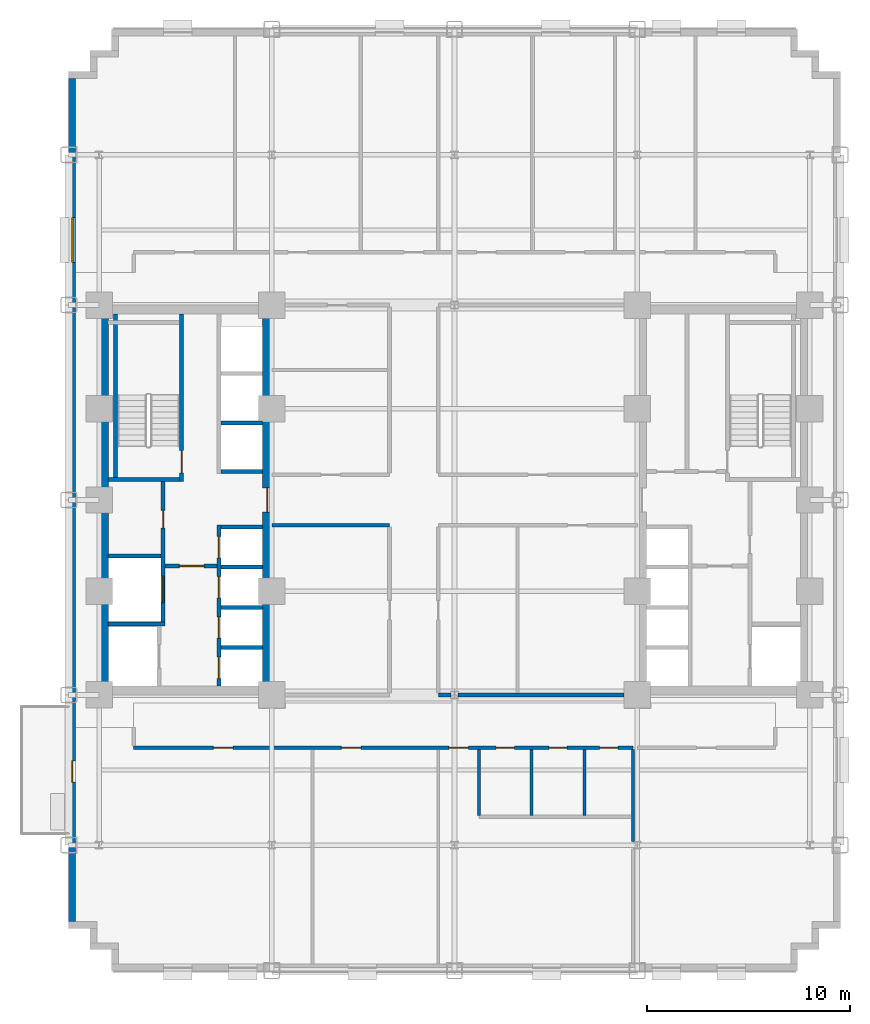
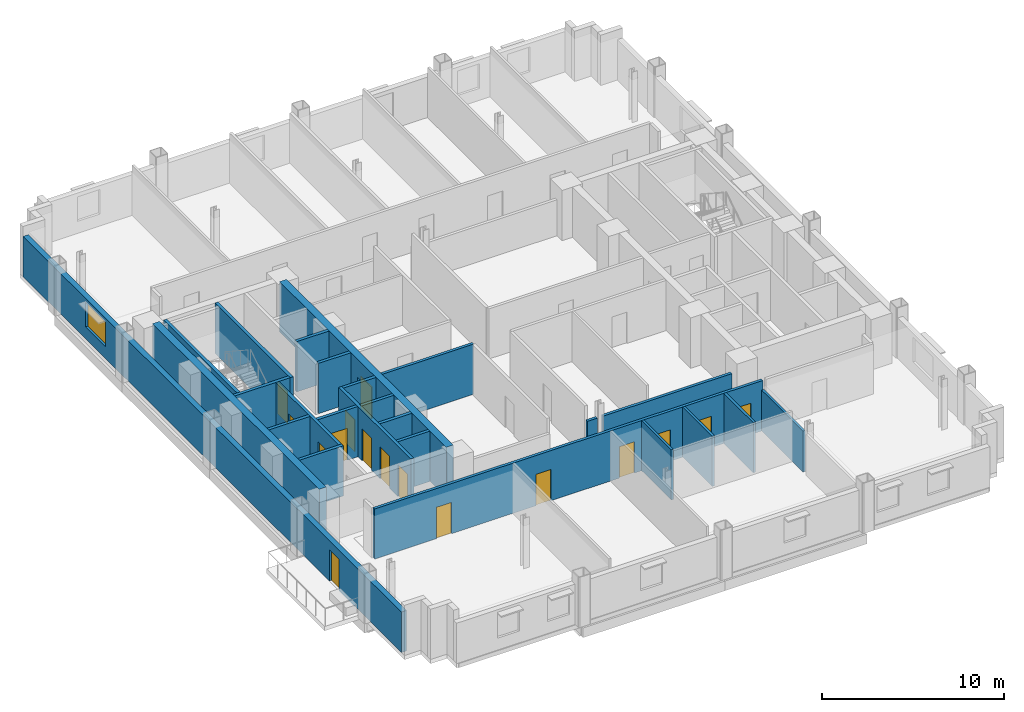
# One storey, part 5 of 12: 25 walls, 16 doors, 1 window, 17 openings.
"""IFC4 building model written with IfcOpenShell, lengths in metres."""

from ifc_helpers import new_model, si_unit, direction, frame, frame_2d, origin, place, context, subcontext, project, spatial, rectangle, extrude, source, transform, mapped, material, layer, layer_set, type_object, type_shapes, element, fill, save


model = new_model("IFC4")

# Units and contexts
model_context = context("Model", 3, precision=1e-05, world=origin(), true_north=direction((0.0, 1.0)))
body_context = subcontext(model_context, "Body", "Model", "MODEL_VIEW")
ifc_project = project(units=[si_unit("LENGTHUNIT", "METRE"), si_unit("AREAUNIT", "SQUARE_METRE"), si_unit("VOLUMEUNIT", "CUBIC_METRE"), si_unit("PLANEANGLEUNIT", "RADIAN"), si_unit("MASSUNIT", "GRAM", prefix="KILO")], contexts=[model_context])

# Site, building, storey
site_placement = place(None, origin())
site = spatial("IfcSite", under=ifc_project, at=site_placement, CompositionType="ELEMENT")
building_placement = place(site_placement, origin())
building = spatial("IfcBuilding", under=site, at=building_placement, Name="Nuvemarco Arch Tower", CompositionType="ELEMENT")
storey_placement = place(building_placement, frame((0.0, 0.0, 31.25)))
storey = spatial("IfcBuildingStorey", under=building, at=storey_placement, Name="L07", CompositionType="ELEMENT", Elevation=31.25)

# Wall, openings, door, window
ifc_material_1 = material(Name="Precast concrete C45/55", Category="concrete")
ifc_layer_1 = layer(ifc_material_1, 0.340087890625, Name="EW-LOW-340")
ifc_layer_set_1 = layer_set([ifc_layer_1], Name="Precast concrete C45/55")
wall_type_1 = type_object("IfcWallType", Name="EW-LOW-340", PredefinedType="STANDARD", material=ifc_layer_set_1)
wall_1_placement = place(storey_placement, frame((-18.830078125, -20.763916015625, 0.0), z_axis=(0.0, 0.0, 1.0), x_axis=(0.0, 1.0, 0.0)))
wall_1 = element("IfcWall", 1, at=wall_1_placement, inside=storey, type_object=wall_type_1, Name="L07 exterior precast facade wall 16", PredefinedType="STANDARD", context=body_context, shape_type="SweptSolid", body=[
    extrude(rectangle(XDim=41.52783203125, YDim=0.340087890625, at=frame_2d((20.763916015625, 0.0))), origin(), (0.0, 0.0, 1.0), 2.705078125),
])
opening_1_placement = place(wall_1_placement, frame((6.864013671875, 0.0, 0.0)))
opening_1 = element("IfcOpeningElement", 2, at=opening_1_placement, cuts=wall_1, Name="Opening ED-5", PredefinedType="OPENING", context=body_context, shape_type="SweptSolid", body=[
    extrude(rectangle(XDim=1.050048828125, YDim=2.10009765625, at=frame_2d((0.52490234375, 1.050048828125))), frame((0.0, 0.179931640625, 0.0), z_axis=(0.0, -1.0, 0.0), x_axis=(1.0, 0.0, 0.0)), (0.0, 0.0, 1.0), 0.360107421875),
])
opening_2_placement = place(wall_1_placement, frame((32.466552734375, 0.0, 0.800048828125)))
opening_2 = element("IfcOpeningElement", 3, at=opening_2_placement, cuts=wall_1, Name="Opening WN-3", PredefinedType="OPENING", context=body_context, shape_type="SweptSolid", body=[
    extrude(rectangle(XDim=2.199951171875, YDim=1.64990234375, at=frame_2d((1.10009765625, 0.824951171875))), frame((0.0, 0.179931640625, 0.0), z_axis=(0.0, -1.0, 0.0), x_axis=(1.0, 0.0, 0.0)), (0.0, 0.0, 1.0), 0.360107421875),
])
ifc_material_2 = material(Name="Anodised bronze and laminated glass", Category="glass")
door_type_1 = type_object("IfcDoorType", Name="DR-EXT-TERR", OperationType="NOTDEFINED", PredefinedType="DOOR", material=ifc_material_2)
shared_shape_1 = source(origin(), body_context, "Body", "SweptSolid", [
    extrude(rectangle(XDim=1.050048828125, YDim=2.10009765625, at=frame_2d((0.52490234375, 1.050048828125))), frame((0.0, 0.02490234375, 0.0), z_axis=(0.0, -1.0, 0.0), x_axis=(1.0, 0.0, 0.0)), (0.0, 0.0, 1.0), 0.050048828125),
])
type_shapes(door_type_1, [shared_shape_1])
door_1_placement = place(opening_1_placement, origin())
door_1 = element("IfcDoor", 4, at=door_1_placement, inside=storey, type_object=door_type_1, Name="L07 spiral terrace access door", OperationType="SINGLE_SWING_LEFT", OverallHeight=2.10009765625, OverallWidth=1.050048828125, PredefinedType="DOOR", context=body_context, shape_type="MappedRepresentation", body=[
    mapped(shared_shape_1, transform((0.0, 0.0, 0.0), scale=1.0)),
])
fill(opening_1, door_1)
ifc_material_3 = material(Name="Insulated solar-control glass", Category="glass")
window_type = type_object("IfcWindowType", Name="WN-LOW-2200x1650", PartitioningType="DOUBLE_PANEL_VERTICAL", PredefinedType="WINDOW", material=ifc_material_3)
shared_shape_2 = source(origin(), body_context, "Body", "SweptSolid", [
    extrude(rectangle(XDim=2.199951171875, YDim=1.64990234375, at=frame_2d((1.10009765625, 0.824951171875))), frame((0.0, 0.030029296875, 0.0), z_axis=(0.0, -1.0, 0.0), x_axis=(1.0, 0.0, 0.0)), (0.0, 0.0, 1.0), 0.06005859375),
])
type_shapes(window_type, [shared_shape_2])
window_placement = place(opening_2_placement, origin())
window = element("IfcWindow", 5, at=window_placement, inside=storey, type_object=window_type, Name="L07 punched facade window 7", OverallHeight=1.64990234375, OverallWidth=2.199951171875, PartitioningType="SINGLE_PANEL", PredefinedType="WINDOW", context=body_context, shape_type="MappedRepresentation", body=[
    mapped(shared_shape_2, transform((0.0, 0.0, 0.0), scale=1.0)),
])
fill(opening_2, window)

# Wall
ifc_material_4 = material(Name="Concrete C60/75", Category="concrete")
ifc_layer_2 = layer(ifc_material_4, 0.449951171875, Name="WL-CORE-450")
ifc_layer_set_2 = layer_set([ifc_layer_2], Name="Concrete C60/75")
wall_type_2 = type_object("IfcWallType", Name="WL-CORE-450", PredefinedType="SHEAR", material=ifc_layer_set_2)
wall_2_placement = place(storey_placement, frame((-17.27490234375, -9.155029296875, 0.0), z_axis=(0.0, 0.0, 1.0), x_axis=(0.0, 1.0, 0.0)))
element("IfcWall", 6, at=wall_2_placement, inside=storey, type_object=wall_type_2, Name="L07 W-core shear wall W", PredefinedType="SHEAR", context=body_context, shape_type="SweptSolid", body=[
    extrude(rectangle(XDim=18.31005859375, YDim=0.449951171875, at=frame_2d((9.155029296875, 0.0))), origin(), (0.0, 0.0, 1.0), 3.3701171875),
])

# Wall, opening, door
wall_3_placement = place(storey_placement, frame((-9.22509765625, -9.155029296875, 0.0), z_axis=(0.0, 0.0, 1.0), x_axis=(0.0, 1.0, 0.0)))
wall_3 = element("IfcWall", 7, at=wall_3_placement, inside=storey, type_object=wall_type_2, Name="L07 W-core shear wall E", PredefinedType="SHEAR", context=body_context, shape_type="SweptSolid", body=[
    extrude(rectangle(XDim=18.31005859375, YDim=0.449951171875, at=frame_2d((9.155029296875, 0.0))), origin(), (0.0, 0.0, 1.0), 3.3701171875),
])
opening_3_placement = place(wall_3_placement, frame((8.554931640625, 0.0, 0.0)))
opening_3 = element("IfcOpeningElement", 8, at=opening_3_placement, cuts=wall_3, Name="Opening FD-2", PredefinedType="OPENING", context=body_context, shape_type="SweptSolid", body=[
    extrude(rectangle(XDim=1.199951171875, YDim=2.14990234375, at=frame_2d((0.60009765625, 1.074951171875))), frame((0.0, 0.23486328125, 0.0), z_axis=(0.0, -1.0, 0.0), x_axis=(1.0, 0.0, 0.0)), (0.0, 0.0, 1.0), 0.469970703125),
])
ifc_material_5 = material(Name="Anodised steel fire door", Category="steel")
door_type_2 = type_object("IfcDoorType", Name="DR-FFLOB-FD", OperationType="NOTDEFINED", PredefinedType="DOOR", material=ifc_material_5)
shared_shape_3 = source(origin(), body_context, "Body", "SweptSolid", [
    extrude(rectangle(XDim=1.199951171875, YDim=2.14990234375, at=frame_2d((0.60009765625, 1.074951171875))), frame((0.0, 0.02490234375, 0.0), z_axis=(0.0, -1.0, 0.0), x_axis=(1.0, 0.0, 0.0)), (0.0, 0.0, 1.0), 0.050048828125),
])
type_shapes(door_type_2, [shared_shape_3])
door_2_placement = place(opening_3_placement, origin())
door_2 = element("IfcDoor", 9, at=door_2_placement, inside=storey, type_object=door_type_2, Name="L07 door FD-L07-WCORE-E", OperationType="SINGLE_SWING_LEFT", OverallHeight=2.14990234375, OverallWidth=1.199951171875, PredefinedType="DOOR", context=body_context, shape_type="MappedRepresentation", body=[
    mapped(shared_shape_3, transform((0.0, 0.0, 0.0), scale=1.0)),
])
fill(opening_3, door_2)

# Wall, openings, doors
ifc_material_6 = material(Name="Fire-rated gypsum drywall partition")
ifc_layer_3 = layer(ifc_material_6, 0.179931640625, Name="WL-CORR-180")
ifc_layer_set_3 = layer_set([ifc_layer_3], Name="Fire-rated gypsum drywall partition")
wall_type_3 = type_object("IfcWallType", Name="WL-CORR-180", PredefinedType="PARTITIONING", material=ifc_layer_set_3)
wall_4_placement = place(storey_placement, frame((-15.800048828125, -12.199951171875, 0.0), z_axis=(0.0, 0.0, 1.0), x_axis=(1.0, 0.0, 0.0)))
wall_4 = element("IfcWall", 10, at=wall_4_placement, inside=storey, type_object=wall_type_3, Name="L07 interior wall IW-L07-002", PredefinedType="PARTITIONING", context=body_context, shape_type="SweptSolid", body=[
    extrude(rectangle(XDim=24.60009765625, YDim=0.179931640625, at=frame_2d((12.300048828125, 0.0))), origin(), (0.0, 0.0, 1.0), 3.360107421875),
])
opening_4_placement = place(wall_4_placement, frame((3.925048828125, 0.0, 0.0)))
opening_4 = element("IfcOpeningElement", 11, at=opening_4_placement, cuts=wall_4, Name="Opening FD-5", PredefinedType="OPENING", context=body_context, shape_type="SweptSolid", body=[
    extrude(rectangle(XDim=0.9599609375, YDim=2.10009765625, at=frame_2d((0.47998046875, 1.050048828125))), frame((0.0, 0.099853515625, 0.0), z_axis=(0.0, -1.0, 0.0), x_axis=(1.0, 0.0, 0.0)), (0.0, 0.0, 1.0), 0.199951171875),
])
opening_5_placement = place(wall_4_placement, frame((10.22509765625, 0.0, 0.0)))
opening_5 = element("IfcOpeningElement", 12, at=opening_5_placement, cuts=wall_4, Name="Opening FD-5", PredefinedType="OPENING", context=body_context, shape_type="SweptSolid", body=[
    extrude(rectangle(XDim=0.9599609375, YDim=2.10009765625, at=frame_2d((0.47998046875, 1.050048828125))), frame((0.0, 0.099853515625, 0.0), z_axis=(0.0, -1.0, 0.0), x_axis=(1.0, 0.0, 0.0)), (0.0, 0.0, 1.0), 0.199951171875),
])
opening_6_placement = place(wall_4_placement, frame((20.449951171875, 0.0, 0.0)))
opening_6 = element("IfcOpeningElement", 13, at=opening_6_placement, cuts=wall_4, Name="Opening ID-3", PredefinedType="OPENING", context=body_context, shape_type="SweptSolid", body=[
    extrude(rectangle(XDim=0.89990234375, YDim=2.10009765625, at=frame_2d((0.449951171875, 1.050048828125))), frame((0.0, 0.099853515625, 0.0), z_axis=(0.0, -1.0, 0.0), x_axis=(1.0, 0.0, 0.0)), (0.0, 0.0, 1.0), 0.199951171875),
])
opening_7_placement = place(wall_4_placement, frame((17.85009765625, 0.0, 0.0)))
opening_7 = element("IfcOpeningElement", 14, at=opening_7_placement, cuts=wall_4, Name="Opening ID-3", PredefinedType="OPENING", context=body_context, shape_type="SweptSolid", body=[
    extrude(rectangle(XDim=0.89990234375, YDim=2.10009765625, at=frame_2d((0.449951171875, 1.050048828125))), frame((0.0, 0.099853515625, 0.0), z_axis=(0.0, -1.0, 0.0), x_axis=(1.0, 0.0, 0.0)), (0.0, 0.0, 1.0), 0.199951171875),
])
opening_8_placement = place(wall_4_placement, frame((22.949951171875, 0.0, 0.0)))
opening_8 = element("IfcOpeningElement", 15, at=opening_8_placement, cuts=wall_4, Name="Opening ID-3", PredefinedType="OPENING", context=body_context, shape_type="SweptSolid", body=[
    extrude(rectangle(XDim=0.89990234375, YDim=2.10009765625, at=frame_2d((0.449951171875, 1.050048828125))), frame((0.0, 0.099853515625, 0.0), z_axis=(0.0, -1.0, 0.0), x_axis=(1.0, 0.0, 0.0)), (0.0, 0.0, 1.0), 0.199951171875),
])
opening_9_placement = place(wall_4_placement, frame((15.52001953125, 0.0, 0.0)))
opening_9 = element("IfcOpeningElement", 16, at=opening_9_placement, cuts=wall_4, Name="Opening FD-5", PredefinedType="OPENING", context=body_context, shape_type="SweptSolid", body=[
    extrude(rectangle(XDim=0.9599609375, YDim=2.10009765625, at=frame_2d((0.47998046875, 1.050048828125))), frame((0.0, 0.099853515625, 0.0), z_axis=(0.0, -1.0, 0.0), x_axis=(1.0, 0.0, 0.0)), (0.0, 0.0, 1.0), 0.199951171875),
])
ifc_material_7 = material(Name="Timber fire door", Category="wood")
door_type_3 = type_object("IfcDoorType", Name="DR-CORR-FD", OperationType="NOTDEFINED", PredefinedType="DOOR", material=ifc_material_7)
shared_shape_4 = source(origin(), body_context, "Body", "SweptSolid", [
    extrude(rectangle(XDim=0.9599609375, YDim=2.10009765625, at=frame_2d((0.47998046875, 1.050048828125))), frame((0.0, 0.02490234375, 0.0), z_axis=(0.0, -1.0, 0.0), x_axis=(1.0, 0.0, 0.0)), (0.0, 0.0, 1.0), 0.050048828125),
])
type_shapes(door_type_3, [shared_shape_4])
door_3_placement = place(opening_4_placement, origin())
door_3 = element("IfcDoor", 17, at=door_3_placement, inside=storey, type_object=door_type_3, Name="L07 door DR-L07-S_1", OperationType="SINGLE_SWING_RIGHT", OverallHeight=2.10009765625, OverallWidth=0.9599609375, PredefinedType="DOOR", context=body_context, shape_type="MappedRepresentation", body=[
    mapped(shared_shape_4, transform((0.0, 0.0, 0.0), scale=1.0)),
])
fill(opening_4, door_3)
door_4_placement = place(opening_5_placement, origin())
door_4 = element("IfcDoor", 18, at=door_4_placement, inside=storey, type_object=door_type_3, Name="L07 door DR-L07-S_2", OperationType="SINGLE_SWING_LEFT", OverallHeight=2.10009765625, OverallWidth=0.9599609375, PredefinedType="DOOR", context=body_context, shape_type="MappedRepresentation", body=[
    mapped(shared_shape_4, transform((0.0, 0.0, 0.0), scale=1.0)),
])
fill(opening_5, door_4)
door_5_placement = place(opening_9_placement, origin())
door_5 = element("IfcDoor", 19, at=door_5_placement, inside=storey, type_object=door_type_3, Name="L07 door DR-L07-S_3", OperationType="SINGLE_SWING_RIGHT", OverallHeight=2.10009765625, OverallWidth=0.9599609375, PredefinedType="DOOR", context=body_context, shape_type="MappedRepresentation", body=[
    mapped(shared_shape_4, transform((0.0, 0.0, 0.0), scale=1.0)),
])
fill(opening_9, door_5)
ifc_material_8 = material(Name="Veneered oak timber fire door", Category="wood")
door_type_4 = type_object("IfcDoorType", Name="DR-WC-ACC", OperationType="NOTDEFINED", PredefinedType="DOOR", material=ifc_material_8)
shared_shape_5 = source(origin(), body_context, "Body", "SweptSolid", [
    extrude(rectangle(XDim=0.89990234375, YDim=2.10009765625, at=frame_2d((0.449951171875, 1.050048828125))), frame((0.0, 0.02490234375, 0.0), z_axis=(0.0, -1.0, 0.0), x_axis=(1.0, 0.0, 0.0)), (0.0, 0.0, 1.0), 0.050048828125),
])
type_shapes(door_type_4, [shared_shape_5])
door_6_placement = place(opening_6_placement, origin())
door_6 = element("IfcDoor", 20, at=door_6_placement, inside=storey, type_object=door_type_4, Name="L07 door DR-L07-WC_F", OperationType="SINGLE_SWING_RIGHT", OverallHeight=2.10009765625, OverallWidth=0.89990234375, PredefinedType="DOOR", context=body_context, shape_type="MappedRepresentation", body=[
    mapped(shared_shape_5, transform((0.0, 0.0, 0.0), scale=1.0)),
])
fill(opening_6, door_6)
door_7_placement = place(opening_7_placement, origin())
door_7 = element("IfcDoor", 21, at=door_7_placement, inside=storey, type_object=door_type_4, Name="L07 door DR-L07-WC_M", OperationType="SINGLE_SWING_LEFT", OverallHeight=2.10009765625, OverallWidth=0.89990234375, PredefinedType="DOOR", context=body_context, shape_type="MappedRepresentation", body=[
    mapped(shared_shape_5, transform((0.0, 0.0, 0.0), scale=1.0)),
])
fill(opening_7, door_7)
door_8_placement = place(opening_8_placement, origin())
door_8 = element("IfcDoor", 22, at=door_8_placement, inside=storey, type_object=door_type_4, Name="L07 door DR-L07-WC_ACC", OperationType="SINGLE_SWING_RIGHT", OverallHeight=2.10009765625, OverallWidth=0.89990234375, PredefinedType="DOOR", context=body_context, shape_type="MappedRepresentation", body=[
    mapped(shared_shape_5, transform((0.0, 0.0, 0.0), scale=1.0)),
])
fill(opening_8, door_8)

# Walls
wall_5_placement = place(storey_placement, frame((-0.800048828125, -9.60009765625, 0.0), z_axis=(0.0, 0.0, 1.0), x_axis=(1.0, 0.0, 0.0)))
element("IfcWall", 23, at=wall_5_placement, inside=storey, type_object=wall_type_3, Name="L07 interior wall IW-L07-005", PredefinedType="PARTITIONING", context=body_context, shape_type="SweptSolid", body=[
    extrude(rectangle(XDim=0.6240234375, YDim=0.179931640625, at=frame_2d((0.31201171875, 0.0))), origin(), (0.0, 0.0, 1.0), 2.405029296875),
])
wall_6_placement = place(storey_placement, frame((0.176025390625, -9.60009765625, 0.0), z_axis=(0.0, 0.0, 1.0), x_axis=(1.0, 0.0, 0.0)))
element("IfcWall", 24, at=wall_6_placement, inside=storey, type_object=wall_type_3, Name="L07 interior wall IW-L07-006", PredefinedType="PARTITIONING", context=body_context, shape_type="SweptSolid", body=[
    extrude(rectangle(XDim=8.177978515625, YDim=0.179931640625, at=frame_2d((4.0888671875, 0.0))), origin(), (0.0, 0.0, 1.0), 2.405029296875),
])
wall_7_placement = place(storey_placement, frame((-9.0, -1.25, 0.0), z_axis=(0.0, 0.0, 1.0), x_axis=(1.0, 0.0, 0.0)))
element("IfcWall", 25, at=wall_7_placement, inside=storey, type_object=wall_type_3, Name="L07 interior wall IW-L07-007", PredefinedType="PARTITIONING", context=body_context, shape_type="SweptSolid", body=[
    extrude(rectangle(XDim=5.800048828125, YDim=0.179931640625, at=frame_2d((2.89990234375, 0.0))), origin(), (0.0, 0.0, 1.0), 3.360107421875),
])

# Wall, opening, door
ifc_material_9 = material(Name="Concrete C50/60", Category="concrete")
ifc_layer_4 = layer(ifc_material_9, 0.199951171875, Name="WL-SHAFT-220")
ifc_layer_set_4 = layer_set([ifc_layer_4], Name="Concrete C50/60")
wall_type_4 = type_object("IfcWallType", Name="WL-SHAFT-220", PredefinedType="SHEAR", material=ifc_layer_set_4)
wall_8_placement = place(storey_placement, frame((-13.43994140625, 0.89990234375, 0.0), z_axis=(0.0, 0.0, 1.0), x_axis=(0.0, 1.0, 0.0)))
wall_8 = element("IfcWall", 26, at=wall_8_placement, inside=storey, type_object=wall_type_4, Name="L07 structural shaft wall SW-L07-W-ST1E", PredefinedType="SHEAR", context=body_context, shape_type="SweptSolid", body=[
    extrude(rectangle(XDim=8.255126953125, YDim=0.199951171875, at=frame_2d((4.12744140625, 0.0))), origin(), (0.0, 0.0, 1.0), 3.3701171875),
])
opening_10_placement = place(wall_8_placement, frame((1.530029296875, 0.0, 0.0), z_axis=(0.0, 0.0, 1.0), x_axis=(-1.0, 0.0, 0.0)))
opening_10 = element("IfcOpeningElement", 27, at=opening_10_placement, cuts=wall_8, Name="Opening FD-1", PredefinedType="OPENING", context=body_context, shape_type="SweptSolid", body=[
    extrude(rectangle(XDim=1.10009765625, YDim=2.14990234375, at=frame_2d((0.550048828125, 1.074951171875))), frame((0.0, 0.10986328125, 0.0), z_axis=(0.0, -1.0, 0.0), x_axis=(1.0, 0.0, 0.0)), (0.0, 0.0, 1.0), 0.219970703125),
])
door_type_5 = type_object("IfcDoorType", Name="DR-STAIR-FD", OperationType="NOTDEFINED", PredefinedType="DOOR", material=ifc_material_5)
shared_shape_6 = source(origin(), body_context, "Body", "SweptSolid", [
    extrude(rectangle(XDim=1.10009765625, YDim=2.14990234375, at=frame_2d((0.550048828125, 1.074951171875))), frame((0.0, 0.02490234375, 0.0), z_axis=(0.0, -1.0, 0.0), x_axis=(1.0, 0.0, 0.0)), (0.0, 0.0, 1.0), 0.050048828125),
])
type_shapes(door_type_5, [shared_shape_6])
door_9_placement = place(opening_10_placement, origin())
door_9 = element("IfcDoor", 28, at=door_9_placement, inside=storey, type_object=door_type_5, Name="L07 door FD-L07-ST1", OperationType="SINGLE_SWING_LEFT", OverallHeight=2.14990234375, OverallWidth=1.10009765625, PredefinedType="DOOR", context=body_context, shape_type="MappedRepresentation", body=[
    mapped(shared_shape_6, transform((0.0, 0.0, 0.0), scale=1.0)),
])
fill(opening_10, door_9)

# Walls
wall_9_placement = place(storey_placement, frame((-17.054931640625, 1.0, 0.0), z_axis=(0.0, 0.0, 1.0), x_axis=(1.0, 0.0, 0.0)))
element("IfcWall", 29, at=wall_9_placement, inside=storey, type_object=wall_type_4, Name="L07 structural shaft wall SW-L07-W-ST1S", PredefinedType="SHEAR", context=body_context, shape_type="SweptSolid", body=[
    extrude(rectangle(XDim=3.52001953125, YDim=0.199951171875, at=frame_2d((1.760009765625, 0.0))), origin(), (0.0, 0.0, 1.0), 3.3701171875),
])
wall_10_placement = place(storey_placement, frame((-16.699951171875, 1.094970703125, 0.0), z_axis=(0.0, 0.0, 1.0), x_axis=(0.0, 1.0, 0.0)))
element("IfcWall", 30, at=wall_10_placement, inside=storey, type_object=wall_type_4, Name="L07 structural shaft wall SW-L07-W-ST1W", PredefinedType="SHEAR", context=body_context, shape_type="SweptSolid", body=[
    extrude(rectangle(XDim=8.06005859375, YDim=0.199951171875, at=frame_2d((4.030029296875, 0.0))), origin(), (0.0, 0.0, 1.0), 3.3701171875),
])

# Wall, openings, doors
wall_11_placement = place(storey_placement, frame((-14.35009765625, -6.199951171875, 0.0), z_axis=(0.0, 0.0, 1.0), x_axis=(0.0, 1.0, 0.0)))
wall_11 = element("IfcWall", 31, at=wall_11_placement, inside=storey, type_object=wall_type_4, Name="L07 structural shaft wall SW-L07-W-SVE", PredefinedType="SHEAR", context=body_context, shape_type="SweptSolid", body=[
    extrude(rectangle(XDim=7.10498046875, YDim=0.199951171875, at=frame_2d((3.552490234375, 0.0))), origin(), (0.0, 0.0, 1.0), 3.3701171875),
])
opening_11_placement = place(wall_11_placement, frame((5.68994140625, 0.0, 0.0), z_axis=(0.0, 0.0, 1.0), x_axis=(-1.0, 0.0, 0.0)))
opening_11 = element("IfcOpeningElement", 32, at=opening_11_placement, cuts=wall_11, Name="Opening FD-4", PredefinedType="OPENING", context=body_context, shape_type="SweptSolid", body=[
    extrude(rectangle(XDim=0.8798828125, YDim=2.10009765625, at=frame_2d((0.43994140625, 1.050048828125))), frame((0.0, 0.10986328125, 0.0), z_axis=(0.0, -1.0, 0.0), x_axis=(1.0, 0.0, 0.0)), (0.0, 0.0, 1.0), 0.219970703125),
])
opening_12_placement = place(wall_11_placement, frame((1.14990234375, 0.0, 0.0)))
opening_12 = element("IfcOpeningElement", 33, at=opening_12_placement, cuts=wall_11, Name="Opening LD-3", PredefinedType="OPENING", context=body_context, shape_type="SweptSolid", body=[
    extrude(rectangle(XDim=1.300048828125, YDim=2.199951171875, at=frame_2d((0.64990234375, 1.10009765625))), frame((0.0, 0.10986328125, 0.0), z_axis=(0.0, -1.0, 0.0), x_axis=(1.0, 0.0, 0.0)), (0.0, 0.0, 1.0), 0.219970703125),
])
door_type_6 = type_object("IfcDoorType", Name="DR-RISER-FD", OperationType="NOTDEFINED", PredefinedType="DOOR", material=ifc_material_5)
shared_shape_7 = source(origin(), body_context, "Body", "SweptSolid", [
    extrude(rectangle(XDim=0.8798828125, YDim=2.10009765625, at=frame_2d((0.43994140625, 1.050048828125))), frame((0.0, 0.02490234375, 0.0), z_axis=(0.0, -1.0, 0.0), x_axis=(1.0, 0.0, 0.0)), (0.0, 0.0, 1.0), 0.050048828125),
])
type_shapes(door_type_6, [shared_shape_7])
door_10_placement = place(opening_11_placement, origin())
door_10 = element("IfcDoor", 34, at=door_10_placement, inside=storey, type_object=door_type_6, Name="L07 door FD-L07-WRIS", OperationType="SINGLE_SWING_LEFT", OverallHeight=2.10009765625, OverallWidth=0.8798828125, PredefinedType="DOOR", context=body_context, shape_type="MappedRepresentation", body=[
    mapped(shared_shape_7, transform((0.0, 0.0, 0.0), scale=1.0)),
])
fill(opening_11, door_10)
ifc_material_10 = material(Name="Stainless steel lift door", Category="steel")
door_type_7 = type_object("IfcDoorType", Name="DR-LIFT-SERV", OperationType="DOUBLE_DOOR_SLIDING", PredefinedType="DOOR", material=ifc_material_10)
shared_shape_8 = source(origin(), body_context, "Body", "SweptSolid", [
    extrude(rectangle(XDim=1.300048828125, YDim=2.199951171875, at=frame_2d((0.64990234375, 1.10009765625))), frame((0.0, 0.02490234375, 0.0), z_axis=(0.0, -1.0, 0.0), x_axis=(1.0, 0.0, 0.0)), (0.0, 0.0, 1.0), 0.050048828125),
])
type_shapes(door_type_7, [shared_shape_8])
door_11_placement = place(opening_12_placement, origin())
door_11 = element("IfcDoor", 35, at=door_11_placement, inside=storey, type_object=door_type_7, Name="L07 Lift landing sliding door SVL-1", OperationType="DOUBLE_DOOR_SLIDING", OverallHeight=2.199951171875, OverallWidth=1.300048828125, PredefinedType="DOOR", context=body_context, shape_type="MappedRepresentation", body=[
    mapped(shared_shape_8, transform((0.0, 0.0, 0.0), scale=1.0)),
])
fill(opening_12, door_11)

# Walls
wall_12_placement = place(storey_placement, frame((-17.054931640625, -6.10009765625, 0.0), z_axis=(0.0, 0.0, 1.0), x_axis=(1.0, 0.0, 0.0)))
element("IfcWall", 36, at=wall_12_placement, inside=storey, type_object=wall_type_4, Name="L07 structural shaft wall SW-L07-W-SH1", PredefinedType="SHEAR", context=body_context, shape_type="SweptSolid", body=[
    extrude(rectangle(XDim=2.804931640625, YDim=0.199951171875, at=frame_2d((1.40234375, 0.0))), origin(), (0.0, 0.0, 1.0), 3.3701171875),
])
wall_13_placement = place(storey_placement, frame((-17.054931640625, -2.75, 0.0), z_axis=(0.0, 0.0, 1.0), x_axis=(1.0, 0.0, 0.0)))
element("IfcWall", 37, at=wall_13_placement, inside=storey, type_object=wall_type_4, Name="L07 structural shaft wall SW-L07-W-SH2", PredefinedType="SHEAR", context=body_context, shape_type="SweptSolid", body=[
    extrude(rectangle(XDim=2.60986328125, YDim=0.199951171875, at=frame_2d((1.304931640625, 0.0))), origin(), (0.0, 0.0, 1.0), 3.3701171875),
])

# Wall, openings, doors
wall_14_placement = place(storey_placement, frame((-11.60009765625, -9.155029296875, 0.0), z_axis=(0.0, 0.0, 1.0), x_axis=(0.0, 1.0, 0.0)))
wall_14 = element("IfcWall", 38, at=wall_14_placement, inside=storey, type_object=wall_type_4, Name="L07 structural shaft wall SW-L07-W-PLW", PredefinedType="SHEAR", context=body_context, shape_type="SweptSolid", body=[
    extrude(rectangle(XDim=7.925048828125, YDim=0.199951171875, at=frame_2d((3.96240234375, 0.0))), origin(), (0.0, 0.0, 1.0), 3.3701171875),
])
opening_13_placement = place(wall_14_placement, frame((0.3701171875, 0.0, 0.0)))
opening_13 = element("IfcOpeningElement", 39, at=opening_13_placement, cuts=wall_14, Name="Opening LD-1", PredefinedType="OPENING", context=body_context, shape_type="SweptSolid", body=[
    extrude(rectangle(XDim=1.050048828125, YDim=2.14990234375, at=frame_2d((0.52490234375, 1.074951171875))), frame((0.0, 0.10986328125, 0.0), z_axis=(0.0, -1.0, 0.0), x_axis=(1.0, 0.0, 0.0)), (0.0, 0.0, 1.0), 0.219970703125),
])
opening_14_placement = place(wall_14_placement, frame((2.35009765625, 0.0, 0.0)))
opening_14 = element("IfcOpeningElement", 40, at=opening_14_placement, cuts=wall_14, Name="Opening LD-1", PredefinedType="OPENING", context=body_context, shape_type="SweptSolid", body=[
    extrude(rectangle(XDim=1.050048828125, YDim=2.14990234375, at=frame_2d((0.52490234375, 1.074951171875))), frame((0.0, 0.10986328125, 0.0), z_axis=(0.0, -1.0, 0.0), x_axis=(1.0, 0.0, 0.0)), (0.0, 0.0, 1.0), 0.219970703125),
])
opening_15_placement = place(wall_14_placement, frame((4.330078125, 0.0, 0.0)))
opening_15 = element("IfcOpeningElement", 41, at=opening_15_placement, cuts=wall_14, Name="Opening LD-1", PredefinedType="OPENING", context=body_context, shape_type="SweptSolid", body=[
    extrude(rectangle(XDim=1.050048828125, YDim=2.14990234375, at=frame_2d((0.52490234375, 1.074951171875))), frame((0.0, 0.10986328125, 0.0), z_axis=(0.0, -1.0, 0.0), x_axis=(1.0, 0.0, 0.0)), (0.0, 0.0, 1.0), 0.219970703125),
])
opening_16_placement = place(wall_14_placement, frame((6.31005859375, 0.0, 0.0)))
opening_16 = element("IfcOpeningElement", 42, at=opening_16_placement, cuts=wall_14, Name="Opening LD-1", PredefinedType="OPENING", context=body_context, shape_type="SweptSolid", body=[
    extrude(rectangle(XDim=1.050048828125, YDim=2.14990234375, at=frame_2d((0.52490234375, 1.074951171875))), frame((0.0, 0.10986328125, 0.0), z_axis=(0.0, -1.0, 0.0), x_axis=(1.0, 0.0, 0.0)), (0.0, 0.0, 1.0), 0.219970703125),
])
door_type_8 = type_object("IfcDoorType", Name="DR-LIFT-PASS", OperationType="DOUBLE_DOOR_SLIDING", PredefinedType="DOOR", material=ifc_material_10)
shared_shape_9 = source(origin(), body_context, "Body", "SweptSolid", [
    extrude(rectangle(XDim=1.050048828125, YDim=2.14990234375, at=frame_2d((0.52490234375, 1.074951171875))), frame((0.0, 0.02490234375, 0.0), z_axis=(0.0, -1.0, 0.0), x_axis=(1.0, 0.0, 0.0)), (0.0, 0.0, 1.0), 0.050048828125),
])
type_shapes(door_type_8, [shared_shape_9])
door_12_placement = place(opening_13_placement, origin())
door_12 = element("IfcDoor", 43, at=door_12_placement, inside=storey, type_object=door_type_8, Name="L07 Lift landing sliding door PL-1", OperationType="DOUBLE_DOOR_SLIDING", OverallHeight=2.14990234375, OverallWidth=1.050048828125, PredefinedType="DOOR", context=body_context, shape_type="MappedRepresentation", body=[
    mapped(shared_shape_9, transform((0.0, 0.0, 0.0), scale=1.0)),
])
fill(opening_13, door_12)
door_13_placement = place(opening_14_placement, origin())
door_13 = element("IfcDoor", 44, at=door_13_placement, inside=storey, type_object=door_type_8, Name="L07 Lift landing sliding door PL-2", OperationType="DOUBLE_DOOR_SLIDING", OverallHeight=2.14990234375, OverallWidth=1.050048828125, PredefinedType="DOOR", context=body_context, shape_type="MappedRepresentation", body=[
    mapped(shared_shape_9, transform((0.0, 0.0, 0.0), scale=1.0)),
])
fill(opening_14, door_13)
door_14_placement = place(opening_15_placement, origin())
door_14 = element("IfcDoor", 45, at=door_14_placement, inside=storey, type_object=door_type_8, Name="L07 Lift landing sliding door PL-3", OperationType="DOUBLE_DOOR_SLIDING", OverallHeight=2.14990234375, OverallWidth=1.050048828125, PredefinedType="DOOR", context=body_context, shape_type="MappedRepresentation", body=[
    mapped(shared_shape_9, transform((0.0, 0.0, 0.0), scale=1.0)),
])
fill(opening_15, door_14)
door_15_placement = place(opening_16_placement, origin())
door_15 = element("IfcDoor", 46, at=door_15_placement, inside=storey, type_object=door_type_8, Name="L07 Lift landing sliding door PL-4", OperationType="DOUBLE_DOOR_SLIDING", OverallHeight=2.14990234375, OverallWidth=1.050048828125, PredefinedType="DOOR", context=body_context, shape_type="MappedRepresentation", body=[
    mapped(shared_shape_9, transform((0.0, 0.0, 0.0), scale=1.0)),
])
fill(opening_16, door_15)

# Wall, opening, door
wall_15_placement = place(storey_placement, frame((-14.2548828125, -3.25, 0.0), z_axis=(0.0, 0.0, 1.0), x_axis=(1.0, 0.0, 0.0)))
wall_15 = element("IfcWall", 47, at=wall_15_placement, inside=storey, type_object=wall_type_4, Name="L07 structural shaft wall SW-L07-W-FFN", PredefinedType="SHEAR", context=body_context, shape_type="SweptSolid", body=[
    extrude(rectangle(XDim=2.559814453125, YDim=0.199951171875, at=frame_2d((1.27978515625, 0.0))), origin(), (0.0, 0.0, 1.0), 3.3701171875),
])
opening_17_placement = place(wall_15_placement, frame((0.705078125, 0.0, 0.0)))
opening_17 = element("IfcOpeningElement", 48, at=opening_17_placement, cuts=wall_15, Name="Opening FD-2", PredefinedType="OPENING", context=body_context, shape_type="SweptSolid", body=[
    extrude(rectangle(XDim=1.199951171875, YDim=2.14990234375, at=frame_2d((0.60009765625, 1.074951171875))), frame((0.0, 0.10986328125, 0.0), z_axis=(0.0, -1.0, 0.0), x_axis=(1.0, 0.0, 0.0)), (0.0, 0.0, 1.0), 0.219970703125),
])
door_16_placement = place(opening_17_placement, origin())
door_16 = element("IfcDoor", 49, at=door_16_placement, inside=storey, type_object=door_type_2, Name="L07 door FD-L07-WFF1", OperationType="SINGLE_SWING_LEFT", OverallHeight=2.14990234375, OverallWidth=1.199951171875, PredefinedType="DOOR", context=body_context, shape_type="MappedRepresentation", body=[
    mapped(shared_shape_3, transform((0.0, 0.0, 0.0), scale=1.0)),
])
fill(opening_17, door_16)

# Walls
for number, where, z_axis, x_axis, name in (
    (50, (-11.5048828125, -7.27001953125, 0.0), (0.0, 0.0, 1.0), (1.0, 0.0, 0.0), "L07 structural shaft wall SW-L07-W-PLD1"),
    (51, (-11.5048828125, -5.2900390625, 0.0), (0.0, 0.0, 1.0), (1.0, 0.0, 0.0), "L07 structural shaft wall SW-L07-W-PLD2"),
    (52, (-11.5048828125, -3.31005859375, 0.0), (0.0, 0.0, 1.0), (1.0, 0.0, 0.0), "L07 structural shaft wall SW-L07-W-PLD3"),
    (53, (-11.5048828125, -1.330078125, 0.0), (0.0, 0.0, 1.0), (1.0, 0.0, 0.0), "L07 structural shaft wall SW-L07-W-PLD4"),
    (54, (-11.5048828125, 1.39990234375, 0.0), (0.0, 0.0, 1.0), (1.0, 0.0, 0.0), "L07 structural shaft wall SW-L07-W-PHD1"),
    (55, (-11.5048828125, 3.800048828125, 0.0), (0.0, 0.0, 1.0), (1.0, 0.0, 0.0), "L07 structural shaft wall SW-L07-W-PHD2"),
):
    element("IfcWall", number, at=place(storey_placement, frame(where, z_axis=z_axis, x_axis=x_axis)), inside=storey, type_object=wall_type_4, Name=name, PredefinedType="SHEAR", context=body_context, shape_type="SweptSolid", body=[
        extrude(rectangle(XDim=2.059814453125, YDim=0.199951171875, at=frame_2d((1.02978515625, 0.0))), origin(), (0.0, 0.0, 1.0), 3.3701171875),
    ])
ifc_material_11 = material(Name="Moisture-resistant gypsum partition")
ifc_layer_5 = layer(ifc_material_11, 0.14990234375, Name="WL-WET-150")
ifc_layer_set_5 = layer_set([ifc_layer_5], Name="Moisture-resistant gypsum partition")
wall_type_5 = type_object("IfcWallType", Name="WL-WET-150", PredefinedType="PARTITIONING", material=ifc_layer_set_5)
for number, where, z_axis, x_axis, name in (
    (56, (1.199951171875, -15.529052734375, 0.0), (0.0, 0.0, 1.0), (0.0, 1.0, 0.0), "L07 interior wall IW-L07-027"),
    (57, (3.800048828125, -15.529052734375, 0.0), (0.0, 0.0, 1.0), (0.0, 1.0, 0.0), "L07 interior wall IW-L07-029"),
    (58, (6.39990234375, -15.529052734375, 0.0), (0.0, 0.0, 1.0), (0.0, 1.0, 0.0), "L07 interior wall IW-L07-031"),
):
    element("IfcWall", number, at=place(storey_placement, frame(where, z_axis=z_axis, x_axis=x_axis)), inside=storey, type_object=wall_type_5, Name=name, PredefinedType="PARTITIONING", context=body_context, shape_type="SweptSolid", body=[
        extrude(rectangle(XDim=3.2431640625, YDim=0.14990234375, at=frame_2d((1.62158203125, 0.0))), origin(), (0.0, 0.0, 1.0), 3.360107421875),
    ])
wall_16_placement = place(storey_placement, frame((8.800048828125, -16.823974609375, 0.0), z_axis=(0.0, 0.0, 1.0), x_axis=(0.0, 1.0, 0.0)))
element("IfcWall", 59, at=wall_16_placement, inside=storey, type_object=wall_type_5, Name="L07 interior wall IW-L07-034", PredefinedType="PARTITIONING", context=body_context, shape_type="SweptSolid", body=[
    extrude(rectangle(XDim=4.5380859375, YDim=0.14990234375, at=frame_2d((2.26904296875, 0.0))), origin(), (0.0, 0.0, 1.0), 2.738037109375),
])

save(model, "model.ifc")
